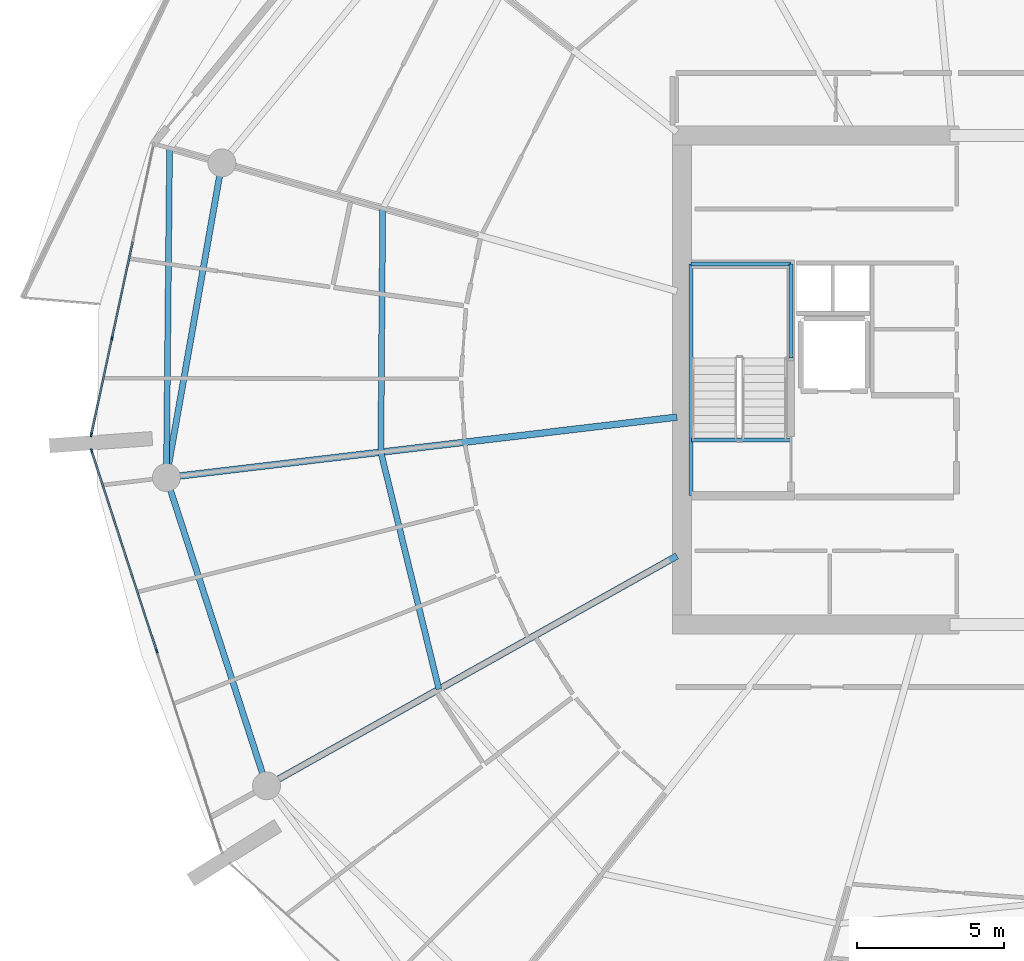
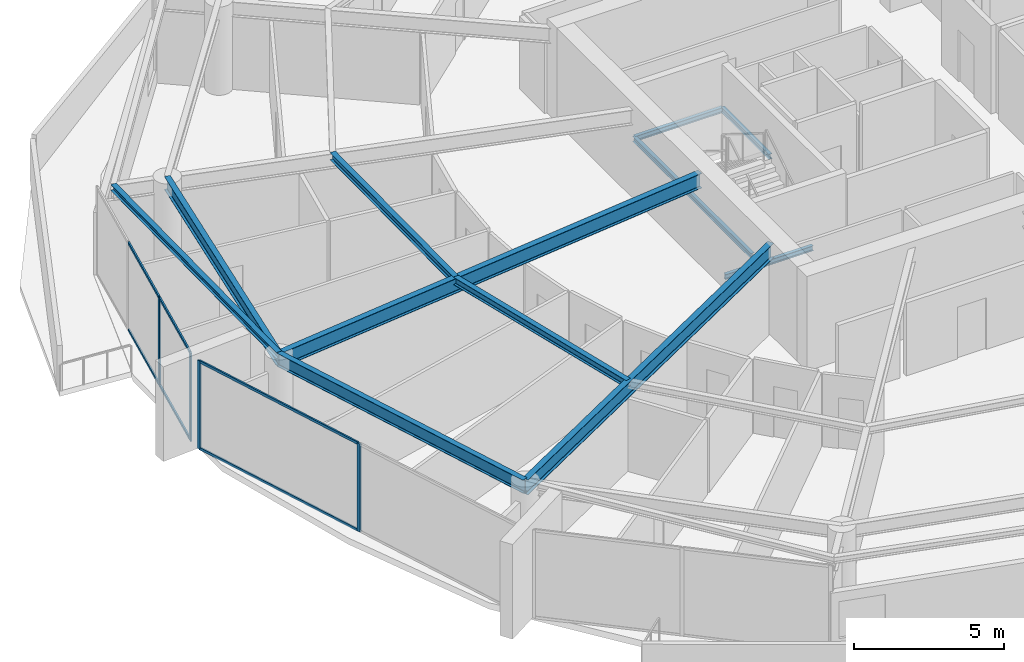
# One storey, part 8 of 31: 11 beams, 10 members, 2 elements without a shape of their own.
"""IFC4 building model written with IfcOpenShell, lengths in metres."""

import ifcopenshell
import ifcopenshell.guid

model = None  # the IFC model being written
_history = None  # IfcOwnerHistory: only IFC2X3 demands one
_inside = {}  # id of a spatial element -> (the spatial element, [elements in it])
_under = {}  # id of a project, library or spatial element -> (it, [spatial elements below it])
_declared = {}  # id of a project -> (the project, [libraries it declares])
_typed = {}  # id of a type object -> (the type object, [elements of that type])
_made_of = {}  # id of a material, layer set ... -> (it, [elements and type objects made of it])


def new_model(schema):
    """Start an empty IFC model of exactly this schema.

    Asked for "IFC4X3", IfcOpenShell would pick the latest addendum, in which some entities
    have other attributes; the version numbers below select the first issue.
    IFC2X3 requires an IfcOwnerHistory on every rooted entity: one is made here for all.
    """
    global model, _history
    if schema == "IFC4X3":
        model = ifcopenshell.file(schema_version=(4, 3, 0, 0))
    else:
        model = ifcopenshell.file(schema=schema)
    _inside.clear()
    _under.clear()
    _declared.clear()
    _typed.clear()
    _made_of.clear()
    _history = None
    if model.schema == "IFC2X3":
        org = make("IfcOrganization", Name="unknown")
        user = make(
            "IfcPersonAndOrganization",
            ThePerson=make("IfcPerson", FamilyName="unknown"),
            TheOrganization=org,
        )
        app = make(
            "IfcApplication",
            ApplicationDeveloper=org,
            Version="unknown",
            ApplicationFullName="unknown",
            ApplicationIdentifier="unknown",
        )
        _history = make(
            "IfcOwnerHistory",
            OwningUser=user,
            OwningApplication=app,
            ChangeAction="ADDED",
            CreationDate=0,
        )
    return model


def make(cls, **values):
    """One entity of the class cls with the attributes given. An attribute that is None is left unset."""
    return model.create_entity(
        cls, **{name: value for name, value in values.items() if value is not None}
    )


def rooted(cls, **values):
    """An entity with a GlobalId (a new one), such as an element, a storey or a relation."""
    return make(cls, GlobalId=ifcopenshell.guid.new(), OwnerHistory=_history, **values)


def si_unit(unit_type, name, prefix=None):
    """IfcSIUnit, for example si_unit("LENGTHUNIT", "METRE", prefix="MILLI")."""
    return make("IfcSIUnit", UnitType=unit_type, Prefix=prefix, Name=name)


def assignment(units):
    """IfcUnitAssignment: the units of a project."""
    return None if units is None else make("IfcUnitAssignment", Units=units)


def point(xyz):
    """IfcCartesianPoint."""
    return None if xyz is None else make("IfcCartesianPoint", Coordinates=xyz)


def direction(xyz):
    """IfcDirection."""
    return None if xyz is None else make("IfcDirection", DirectionRatios=xyz)


def frame(location, z_axis=None, x_axis=None):
    """IfcAxis2Placement3D, a coordinate frame: its origin and axes. An axis left out is left unset."""
    return make(
        "IfcAxis2Placement3D",
        Location=point(location),
        Axis=direction(z_axis),
        RefDirection=direction(x_axis),
    )


def frame_2d(location, x_axis=None):
    """IfcAxis2Placement2D, a coordinate frame in the plane: its origin and x axis."""
    return make(
        "IfcAxis2Placement2D", Location=point(location), RefDirection=direction(x_axis)
    )


def origin():
    """The frame at (0, 0, 0) with its axes left unset."""
    return frame((0.0, 0.0, 0.0))


def origin_2d():
    """The frame at (0, 0) in the plane with its x axis left unset."""
    return frame_2d((0.0, 0.0))


def place(relative_to, where):
    """IfcLocalPlacement: puts the frame where relative to a parent placement (None: the world)."""
    return make(
        "IfcLocalPlacement", PlacementRelTo=relative_to, RelativePlacement=where
    )


def context(
    kind, dimensions, precision=None, world=None, true_north=None, identifier=None
):
    """IfcGeometricRepresentationContext, for example the 3D "Model" context."""
    return make(
        "IfcGeometricRepresentationContext",
        ContextIdentifier=identifier,
        ContextType=kind,
        CoordinateSpaceDimension=dimensions,
        Precision=precision,
        WorldCoordinateSystem=world,
        TrueNorth=true_north,
    )


def subcontext(parent, identifier, kind, view, scale=None):
    """IfcGeometricRepresentationSubContext, for example "Body" below "Model"."""
    return make(
        "IfcGeometricRepresentationSubContext",
        ContextIdentifier=identifier,
        ContextType=kind,
        ParentContext=parent,
        TargetScale=scale,
        TargetView=view,
    )


def project(units=None, contexts=None):
    """IfcProject with its units and contexts."""
    return rooted(
        "IfcProject",
        Name="project",
        RepresentationContexts=contexts,
        UnitsInContext=assignment(units),
    )


def spatial(cls, under=None, at=None, **own):
    """A site, building, storey or space (cls), placed at a placement, below another one or the project."""
    s = rooted(cls, ObjectPlacement=at, **own)
    if under is not None:
        _under.setdefault(under.id(), (under, []))[1].append(s)
    return s


def profile(cls, at=None, kind="AREA", **sizes):
    """A parametric profile (cls). Its sizes go by their IFC names, for example OverallWidth=200.0."""
    return make(cls, ProfileType=kind, Position=at, **sizes)


def rectangle(**sizes):
    """IfcRectangleProfileDef."""
    return profile("IfcRectangleProfileDef", **sizes)


def i_section(**sizes):
    """IfcIShapeProfileDef."""
    return profile("IfcIShapeProfileDef", **sizes)


def extrude(swept, where, along, depth):
    """IfcExtrudedAreaSolid: the profile swept, set in the frame where, extruded along a direction by depth."""
    return make(
        "IfcExtrudedAreaSolid",
        SweptArea=swept,
        Position=where,
        ExtrudedDirection=direction(along),
        Depth=depth,
    )


def shape(context_of_items, identifier, shape_type, items):
    """IfcShapeRepresentation: the items that make up one representation, for example the "Body"."""
    return make(
        "IfcShapeRepresentation",
        ContextOfItems=context_of_items,
        RepresentationIdentifier=identifier,
        RepresentationType=shape_type,
        Items=items,
    )


def material(Name=None, Category=None):
    """IfcMaterial."""
    return make("IfcMaterial", Name=Name, Category=Category)


def layer(
    of_material, thickness, ventilated=None, Name=None, Category=None, Priority=None
):
    """IfcMaterialLayer: one layer of a wall or slab, of a material (None: an air gap)."""
    return make(
        "IfcMaterialLayer",
        Material=of_material,
        LayerThickness=thickness,
        IsVentilated=ventilated,
        Name=Name,
        Category=Category,
        Priority=Priority,
    )


def layer_set(layers, Name=None):
    """IfcMaterialLayerSet."""
    return make("IfcMaterialLayerSet", MaterialLayers=layers, LayerSetName=Name)


def material_profile(
    of_material, cross_section, Name=None, Category=None, Priority=None
):
    """IfcMaterialProfile: a cross section and its material."""
    return make(
        "IfcMaterialProfile",
        Name=Name,
        Material=of_material,
        Profile=cross_section,
        Priority=Priority,
        Category=Category,
    )


def profile_set(profiles, Name=None, composite=None):
    """IfcMaterialProfileSet."""
    return make(
        "IfcMaterialProfileSet",
        Name=Name,
        MaterialProfiles=profiles,
        CompositeProfile=composite,
    )


def made_of(thing, what):
    """Note that an element or type object is made of a material, layer set ...; save() writes the relation."""
    if what is not None:
        _made_of.setdefault(what.id(), (what, []))[1].append(thing)
    return thing


def type_object(cls, material=None, **own):
    """A type object (cls), such as IfcWallType, which elements share."""
    return made_of(rooted(cls, **own), material)


def element(
    cls,
    number,
    at=None,
    inside=None,
    cuts=None,
    type_object=None,
    material=None,
    context=None,
    identifier="Body",
    shape_type=None,
    held_by="IfcProductDefinitionShape",
    body=None,
    shapes=None,
    **own,
):
    """One element of the class cls, such as IfcWall. Its Tag is "e" and its number.

    at: its placement. inside: the storey or other place that contains it. cuts: it is an
    opening in that element (IfcRelVoidsElement). A single representation is given by context,
    identifier, shape_type and body (its items); several are given by shapes. held_by: the class
    of the entity that holds the representations. save() writes the other relations.
    """
    e = rooted(cls, Tag="e%d" % number, ObjectPlacement=at, **own)
    if body is not None:
        shapes = [shape(context, identifier, shape_type, body)]
    if shapes is not None:
        e.Representation = make(held_by, Representations=shapes)
    if inside is not None:
        _inside.setdefault(inside.id(), (inside, []))[1].append(e)
    if cuts is not None:
        rooted(
            "IfcRelVoidsElement", RelatingBuildingElement=cuts, RelatedOpeningElement=e
        )
    if type_object is not None:
        _typed.setdefault(type_object.id(), (type_object, []))[1].append(e)
    return made_of(e, material)


def aggregate(whole, parts):
    """IfcRelAggregates: a whole, such as a stair, and the parts it consists of."""
    return rooted("IfcRelAggregates", RelatingObject=whole, RelatedObjects=parts)


def save(model, path):
    """Write the relations noted so far, then the file.

    IfcRelAggregates (storeys below a building ...), IfcRelContainedInSpatialStructure (elements
    in a storey), IfcRelDefinesByType, IfcRelAssociatesMaterial and IfcRelDeclares: one each for
    every whole, place, type object, material and project.
    """
    for whole, parts in _under.values():
        aggregate(whole, parts)
    for where, things in _inside.values():
        rooted(
            "IfcRelContainedInSpatialStructure",
            RelatedElements=things,
            RelatingStructure=where,
        )
    for kind, things in _typed.values():
        rooted("IfcRelDefinesByType", RelatedObjects=things, RelatingType=kind)
    for what, things in _made_of.values():
        rooted("IfcRelAssociatesMaterial", RelatedObjects=things, RelatingMaterial=what)
    for by, libraries in _declared.values():
        rooted("IfcRelDeclares", RelatingContext=by, RelatedDefinitions=libraries)
    model.write(path)


model = new_model("IFC4")

# Units and contexts
model_context = context("Model", 3, precision=1e-05, world=origin(), true_north=direction((0.0, 1.0)))
body_context = subcontext(model_context, "Body", "Model", "MODEL_VIEW")
ifc_project = project(units=[si_unit("LENGTHUNIT", "METRE"), si_unit("AREAUNIT", "SQUARE_METRE"), si_unit("VOLUMEUNIT", "CUBIC_METRE"), si_unit("PLANEANGLEUNIT", "RADIAN"), si_unit("MASSUNIT", "GRAM", prefix="KILO")], contexts=[model_context])

# Site, building, storey
site_placement = place(None, origin())
site = spatial("IfcSite", under=ifc_project, at=site_placement, CompositionType="ELEMENT")
building_placement = place(site_placement, origin())
building = spatial("IfcBuilding", under=site, at=building_placement, Name="Kazma Halo Residences", CompositionType="ELEMENT")
storey_placement = place(building_placement, frame((0.0, 0.0, 259.800048828125)))
storey = spatial("IfcBuildingStorey", under=building, at=storey_placement, Name="L65", CompositionType="ELEMENT", Elevation=259.800048828125)

# Beams
ifc_material_1 = material(Name="Steel S355", Category="steel")
ifc_material_profile_1 = material_profile(ifc_material_1, i_section(OverallWidth=0.201904296875, OverallDepth=0.2470703125, WebThickness=0.00732421875, FlangeThickness=0.010986328125, FilletRadius=0.011962890625, at=origin_2d()), Name="W250x49.1")
ifc_profile_set_1 = profile_set([ifc_material_profile_1], Name="Steel S355")
beam_type_1 = type_object("IfcBeamType", Name="BM-BAL-CANT", PredefinedType="BEAM", material=ifc_profile_set_1)
beam_1_placement = place(storey_placement, frame((20.028564453125, 49.888916015625, 3.466552734375), z_axis=(-0.009645503464, -0.999953481049, 0.0), x_axis=(0.999953481049, -0.009645503464, 0.0)))
element("IfcBeam", 1, at=beam_1_placement, inside=storey, type_object=beam_type_1, Name="L65 wave-balcony tie beam 07", PredefinedType="BEAM", context=body_context, shape_type="SweptSolid", body=[
    extrude(i_section(OverallWidth=0.201904296875, OverallDepth=0.2470703125, WebThickness=0.00732421875, FlangeThickness=0.010986328125, FilletRadius=0.011962890625, at=origin_2d()), origin(), (0.0, 0.0, 1.0), 11.212890625),
])
ifc_material_profile_2 = material_profile(ifc_material_1, i_section(OverallWidth=0.22802734375, OverallDepth=0.60791015625, WebThickness=0.01123046875, FlangeThickness=0.017333984375, FilletRadius=0.01806640625, at=origin_2d()), Name="W610x113")
ifc_profile_set_2 = profile_set([ifc_material_profile_2], Name="Steel S355")
beam_type_2 = type_object("IfcBeamType", Name="BM-RAD-W610", PredefinedType="BEAM", material=ifc_profile_set_2)
beam_2_placement = place(storey_placement, frame((37.300048828125, 40.733642578125, 3.285888671875), z_axis=(-0.993067702517, -0.117543771495, 0.0), x_axis=(0.117543771495, -0.993067702517, 0.0)))
element("IfcBeam", 2, at=beam_2_placement, inside=storey, type_object=beam_type_2, Name="L65 radial floor beam 08", PredefinedType="BEAM", context=body_context, shape_type="SweptSolid", body=[
    extrude(i_section(OverallWidth=0.22802734375, OverallDepth=0.60791015625, WebThickness=0.01123046875, FlangeThickness=0.017333984375, FilletRadius=0.01806640625, at=origin_2d()), origin(), (0.0, 0.0, 1.0), 17.5009765625),
])
beam_3_placement = place(storey_placement, frame((37.300048828125, 36.0078125, 3.285888671875), z_axis=(-0.872498735757, -0.488616369049, 0.0), x_axis=(0.488616369049, -0.872498735757, 0.0)))
element("IfcBeam", 3, at=beam_3_placement, inside=storey, type_object=beam_type_2, Name="L65 radial floor beam 09", PredefinedType="BEAM", context=body_context, shape_type="SweptSolid", body=[
    extrude(i_section(OverallWidth=0.22802734375, OverallDepth=0.60791015625, WebThickness=0.01123046875, FlangeThickness=0.017333984375, FilletRadius=0.01806640625, at=origin_2d()), origin(), (0.0, 0.0, 1.0), 16.011962890625),
])
ifc_material_profile_3 = material_profile(ifc_material_1, i_section(OverallWidth=0.202880859375, OverallDepth=0.302978515625, WebThickness=0.007568359375, FlangeThickness=0.01318359375, FilletRadius=0.013916015625, at=origin_2d()), Name="W310x60")
ifc_profile_set_3 = profile_set([ifc_material_profile_3], Name="Steel S355")
beam_type_3 = type_object("IfcBeamType", Name="BM-SEC-W310A", PredefinedType="JOIST", material=ifc_profile_set_3)
beam_4_placement = place(storey_placement, frame((27.282470703125, 47.843017578125, 3.4384765625), z_axis=(-0.007527648623, -0.999971666852, 0.0), x_axis=(0.999971666852, -0.007527648623, 0.0)))
element("IfcBeam", 4, at=beam_4_placement, inside=storey, type_object=beam_type_3, Name="L65 circumferential floor joist 07", PredefinedType="JOIST", context=body_context, shape_type="SweptSolid", body=[
    extrude(i_section(OverallWidth=0.202880859375, OverallDepth=0.302978515625, WebThickness=0.007568359375, FlangeThickness=0.01318359375, FilletRadius=0.013916015625, at=origin_2d()), origin(), (0.0, 0.0, 1.0), 8.302734375),
])
beam_5_placement = place(storey_placement, frame((27.219970703125, 39.54052734375, 3.4384765625), z_axis=(0.237963200266, -0.971274171035, 0.0), x_axis=(0.971274171035, 0.237963200266, 0.0)))
element("IfcBeam", 5, at=beam_5_placement, inside=storey, type_object=beam_type_3, Name="L65 circumferential floor joist 08", PredefinedType="JOIST", context=body_context, shape_type="SweptSolid", body=[
    extrude(i_section(OverallWidth=0.202880859375, OverallDepth=0.302978515625, WebThickness=0.007568359375, FlangeThickness=0.01318359375, FilletRadius=0.013916015625, at=origin_2d()), origin(), (0.0, 0.0, 1.0), 8.309326171875),
])
ifc_material_profile_4 = material_profile(ifc_material_1, i_section(OverallWidth=0.208984375, OverallDepth=0.532958984375, WebThickness=0.01025390625, FlangeThickness=0.015625, FilletRadius=0.01611328125, at=origin_2d()), Name="W530x92")
ifc_profile_set_4 = profile_set([ifc_material_profile_4], Name="Steel S355")
beam_type_4 = type_object("IfcBeamType", Name="BM-SPN-W530", PredefinedType="BEAM", material=ifc_profile_set_4)
beam_6_placement = place(storey_placement, frame((21.80908203125, 49.38671875, 3.323486328125), z_axis=(-0.173663672311, -0.984805020763, 0.0), x_axis=(0.984805020763, -0.173663672311, 0.0)))
element("IfcBeam", 6, at=beam_6_placement, inside=storey, type_object=beam_type_4, Name="L65 perimeter ring beam 07", PredefinedType="BEAM", context=body_context, shape_type="SweptSolid", body=[
    extrude(i_section(OverallWidth=0.208984375, OverallDepth=0.532958984375, WebThickness=0.01025390625, FlangeThickness=0.015625, FilletRadius=0.01611328125, at=origin_2d()), origin(), (0.0, 0.0, 1.0), 10.87548828125),
])
beam_7_placement = place(storey_placement, frame((19.92041015625, 38.676513671875, 3.323486328125), z_axis=(0.309015517474, -0.951056996168, 0.0), x_axis=(0.951056996168, 0.309015517474, 0.0)))
element("IfcBeam", 7, at=beam_7_placement, inside=storey, type_object=beam_type_4, Name="L65 perimeter ring beam 08", PredefinedType="BEAM", context=body_context, shape_type="SweptSolid", body=[
    extrude(i_section(OverallWidth=0.208984375, OverallDepth=0.532958984375, WebThickness=0.01025390625, FlangeThickness=0.015625, FilletRadius=0.01611328125, at=origin_2d()), origin(), (0.0, 0.0, 1.0), 11.032470703125),
])
ifc_material_profile_5 = material_profile(ifc_material_1, i_section(OverallWidth=0.133056640625, OverallDepth=0.20703125, WebThickness=0.005859375, FlangeThickness=0.00830078125, FilletRadius=0.010009765625, at=origin_2d()), Name="W200x26.6")
ifc_profile_set_5 = profile_set([ifc_material_profile_5], Name="Steel S355")
beam_type_5 = type_object("IfcBeamType", Name="BM-TRIM-W200", PredefinedType="BEAM", material=ifc_profile_set_5)
beam_8_placement = place(storey_placement, frame((37.800048828125, 39.949951171875, -0.3701171875), z_axis=(1.0, 0.0, 0.0), x_axis=(0.0, 1.0, 0.0)))
element("IfcBeam", 8, at=beam_8_placement, inside=storey, type_object=beam_type_5, Name="L65 ST-01 floor landing support beam", PredefinedType="BEAM", context=body_context, shape_type="SweptSolid", body=[
    extrude(i_section(OverallWidth=0.133056640625, OverallDepth=0.20703125, WebThickness=0.005859375, FlangeThickness=0.00830078125, FilletRadius=0.010009765625, at=origin_2d()), origin(), (0.0, 0.0, 1.0), 3.3798828125),
])
beam_9_placement = place(storey_placement, frame((37.780029296875, 38.06005859375, 1.619873046875), z_axis=(0.0, 1.0, 0.0), x_axis=(-1.0, 0.0, 0.0)))
element("IfcBeam", 9, at=beam_9_placement, inside=storey, type_object=beam_type_5, Name="L65 ST-01 landing west wall ledger", PredefinedType="BEAM", context=body_context, shape_type="SweptSolid", body=[
    extrude(i_section(OverallWidth=0.133056640625, OverallDepth=0.20703125, WebThickness=0.005859375, FlangeThickness=0.00830078125, FilletRadius=0.010009765625, at=origin_2d()), origin(), (0.0, 0.0, 1.0), 7.8798828125),
])
beam_10_placement = place(storey_placement, frame((41.179931640625, 42.75, 1.619873046875), z_axis=(0.0, 1.0, 0.0), x_axis=(-1.0, 0.0, 0.0)))
element("IfcBeam", 10, at=beam_10_placement, inside=storey, type_object=beam_type_5, Name="L65 ST-01 landing east wall ledger", PredefinedType="BEAM", context=body_context, shape_type="SweptSolid", body=[
    extrude(i_section(OverallWidth=0.133056640625, OverallDepth=0.20703125, WebThickness=0.005859375, FlangeThickness=0.00830078125, FilletRadius=0.010009765625, at=origin_2d()), origin(), (0.0, 0.0, 1.0), 3.18994140625),
])
beam_11_placement = place(storey_placement, frame((37.780029296875, 45.93994140625, 1.619873046875), z_axis=(1.0, 0.0, 0.0), x_axis=(0.0, 1.0, 0.0)))
element("IfcBeam", 11, at=beam_11_placement, inside=storey, type_object=beam_type_5, Name="L65 ST-01 landing end wall ledger", PredefinedType="BEAM", context=body_context, shape_type="SweptSolid", body=[
    extrude(i_section(OverallWidth=0.133056640625, OverallDepth=0.20703125, WebThickness=0.005859375, FlangeThickness=0.00830078125, FilletRadius=0.010009765625, at=origin_2d()), origin(), (0.0, 0.0, 1.0), 3.39990234375),
])

# Curtain wall, members
ifc_material_2 = material(Name="Aluminium AW-6063 T6 and Triple-Silver Low-E Glass", Category="aluminium")
ifc_layer = layer(ifc_material_2, 0.139892578125)
ifc_layer_set = layer_set([ifc_layer], Name="Aluminium AW-6063 T6 and Triple-Silver Low-E Glass")
curtain_wall_type = type_object("IfcCurtainWallType", Name="CW-SYS-5", PredefinedType="NOTDEFINED", material=ifc_layer_set)
curtain_wall_1_placement = place(storey_placement, origin())
curtain_wall_1 = element("IfcCurtainWall", 12, at=curtain_wall_1_placement, inside=storey, type_object=curtain_wall_type, Name="L65 unitised curtain wall B07", PredefinedType="NOTDEFINED")
ifc_material_3 = material(Name="Aluminium AW-6063 T6", Category="aluminium")
ifc_material_profile_6 = material_profile(ifc_material_3, rectangle(XDim=0.06005859375, YDim=0.139892578125, at=origin_2d()), Name="CWM-60x140")
ifc_profile_set_6 = profile_set([ifc_material_profile_6], Name="Aluminium AW-6063 T6")
member_type_1 = type_object("IfcMemberType", Name="CW-SYS-5-MUL", PredefinedType="MULLION", material=ifc_profile_set_6)
member_1_placement = place(storey_placement, frame((18.0703125, 43.412841796875, 0.0), z_axis=(0.0, 0.0, 1.0), x_axis=(0.97777491373, -0.209657382603, 0.0)))
member_1 = element("IfcMember", 13, at=member_1_placement, type_object=member_type_1, Name="CWS-5 mullion 3", PredefinedType="MULLION", context=body_context, shape_type="SweptSolid", body=[
    extrude(rectangle(XDim=0.06005859375, YDim=0.139892578125, at=origin_2d()), origin(), (0.0, 0.0, 1.0), 3.58984375),
])
member_2_placement = place(storey_placement, frame((17.3662109375, 40.12841796875, 0.0), z_axis=(0.0, 0.0, 1.0), x_axis=(0.97777491373, -0.209657382603, 0.0)))
member_2 = element("IfcMember", 14, at=member_2_placement, type_object=member_type_1, Name="CWS-5 mullion 4", PredefinedType="MULLION", context=body_context, shape_type="SweptSolid", body=[
    extrude(rectangle(XDim=0.06005859375, YDim=0.139892578125, at=origin_2d()), origin(), (0.0, 0.0, 1.0), 3.58984375),
])

curtain_wall_2_placement = place(storey_placement, origin())
curtain_wall_2 = element("IfcCurtainWall", 15, at=curtain_wall_2_placement, inside=storey, type_object=curtain_wall_type, Name="L65 unitised curtain wall B08", PredefinedType="NOTDEFINED")
member_3_placement = place(storey_placement, frame((17.377197265625, 39.587646484375, 0.0), z_axis=(0.0, 0.0, 1.0), x_axis=(0.951058464359, 0.309010998786, 0.0)))
member_3 = element("IfcMember", 16, at=member_3_placement, type_object=member_type_1, Name="CWS-5 mullion 1", PredefinedType="MULLION", context=body_context, shape_type="SweptSolid", body=[
    extrude(rectangle(XDim=0.06005859375, YDim=0.139892578125, at=origin_2d()), origin(), (0.0, 0.0, 1.0), 3.58984375),
])
member_4_placement = place(storey_placement, frame((19.59228515625, 32.769775390625, 0.0), z_axis=(0.0, 0.0, 1.0), x_axis=(0.951058464359, 0.309010998786, 0.0)))
member_4 = element("IfcMember", 17, at=member_4_placement, type_object=member_type_1, Name="CWS-5 mullion 2", PredefinedType="MULLION", context=body_context, shape_type="SweptSolid", body=[
    extrude(rectangle(XDim=0.06005859375, YDim=0.139892578125, at=origin_2d()), origin(), (0.0, 0.0, 1.0), 3.58984375),
])

# Member
ifc_material_profile_7 = material_profile(ifc_material_3, rectangle(XDim=0.06005859375, YDim=0.10498046875, at=origin_2d()), Name="CWT-60x105")
ifc_profile_set_7 = profile_set([ifc_material_profile_7], Name="Aluminium AW-6063 T6")
member_type_2 = type_object("IfcMemberType", Name="CW-SYS-5-TRN", PredefinedType="USERDEFINED", material=ifc_profile_set_7)
member_5_placement = place(storey_placement, frame((18.774658203125, 46.697265625, 0.030029296875), z_axis=(-0.209664309019, -0.977773428522, 0.0), x_axis=(0.977773428522, -0.209664309019, 0.0)))
member_5 = element("IfcMember", 18, at=member_5_placement, type_object=member_type_2, Name="CWS-5 transom 2.1", ObjectType="TRANSOM", PredefinedType="USERDEFINED", context=body_context, shape_type="SweptSolid", body=[
    extrude(rectangle(XDim=0.06005859375, YDim=0.10498046875, at=origin_2d()), origin(), (0.0, 0.0, 1.0), 3.3291015625),
])

member_6_placement = place(storey_placement, frame((18.774658203125, 46.697265625, 3.56005859375), z_axis=(-0.209664309019, -0.977773428522, 0.0), x_axis=(0.977773428522, -0.209664309019, 0.0)))
member_6 = element("IfcMember", 19, at=member_6_placement, type_object=member_type_2, Name="CWS-5 transom 2.2", ObjectType="TRANSOM", PredefinedType="USERDEFINED", context=body_context, shape_type="SweptSolid", body=[
    extrude(rectangle(XDim=0.06005859375, YDim=0.10498046875, at=origin_2d()), origin(), (0.0, 0.0, 1.0), 3.3291015625),
])

member_7_placement = place(storey_placement, frame((18.064208984375, 43.383544921875, 0.030029296875), z_axis=(-0.209645323239, -0.977777499457, 0.0), x_axis=(0.977777499457, -0.209645323239, 0.0)))
member_7 = element("IfcMember", 20, at=member_7_placement, type_object=member_type_2, Name="CWS-5 transom 3.1", ObjectType="TRANSOM", PredefinedType="USERDEFINED", context=body_context, shape_type="SweptSolid", body=[
    extrude(rectangle(XDim=0.06005859375, YDim=0.10498046875, at=origin_2d()), origin(), (0.0, 0.0, 1.0), 3.299072265625),
])

member_8_placement = place(storey_placement, frame((18.064208984375, 43.383544921875, 3.56005859375), z_axis=(-0.209645323239, -0.977777499457, 0.0), x_axis=(0.977777499457, -0.209645323239, 0.0)))
member_8 = element("IfcMember", 21, at=member_8_placement, type_object=member_type_2, Name="CWS-5 transom 3.2", ObjectType="TRANSOM", PredefinedType="USERDEFINED", context=body_context, shape_type="SweptSolid", body=[
    extrude(rectangle(XDim=0.06005859375, YDim=0.10498046875, at=origin_2d()), origin(), (0.0, 0.0, 1.0), 3.299072265625),
])

aggregate(curtain_wall_1, [member_1, member_2, member_5, member_6, member_7, member_8])

member_9_placement = place(storey_placement, frame((17.386474609375, 39.55908203125, 0.030029296875), z_axis=(0.308995987448, -0.951063341603, 0.0), x_axis=(0.951063341603, 0.308995987448, 0.0)))
member_9 = element("IfcMember", 22, at=member_9_placement, type_object=member_type_2, Name="CWS-5 transom 1.1", ObjectType="TRANSOM", PredefinedType="USERDEFINED", context=body_context, shape_type="SweptSolid", body=[
    extrude(rectangle(XDim=0.06005859375, YDim=0.10498046875, at=origin_2d()), origin(), (0.0, 0.0, 1.0), 7.108642578125),
])

member_10_placement = place(storey_placement, frame((17.386474609375, 39.55908203125, 3.56005859375), z_axis=(0.308995987448, -0.951063341603, 0.0), x_axis=(0.951063341603, 0.308995987448, 0.0)))
member_10 = element("IfcMember", 23, at=member_10_placement, type_object=member_type_2, Name="CWS-5 transom 1.2", ObjectType="TRANSOM", PredefinedType="USERDEFINED", context=body_context, shape_type="SweptSolid", body=[
    extrude(rectangle(XDim=0.06005859375, YDim=0.10498046875, at=origin_2d()), origin(), (0.0, 0.0, 1.0), 7.108642578125),
])

aggregate(curtain_wall_2, [member_3, member_4, member_9, member_10])

save(model, "model.ifc")
